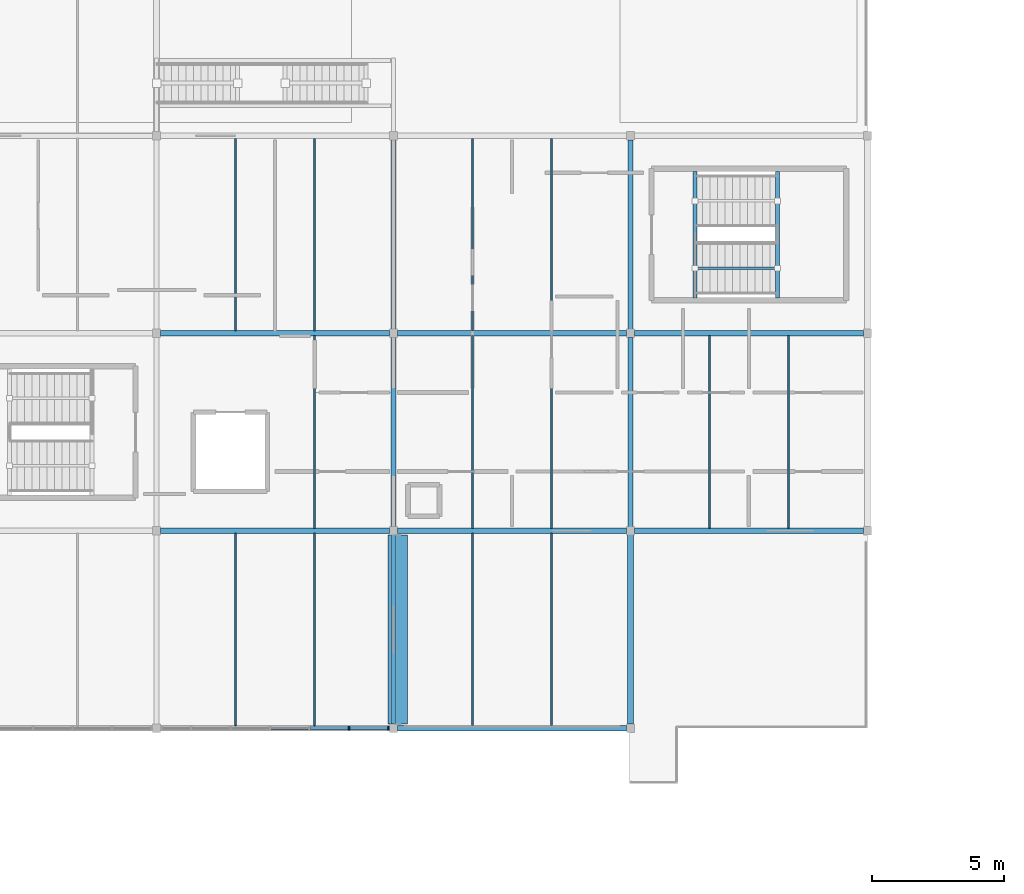
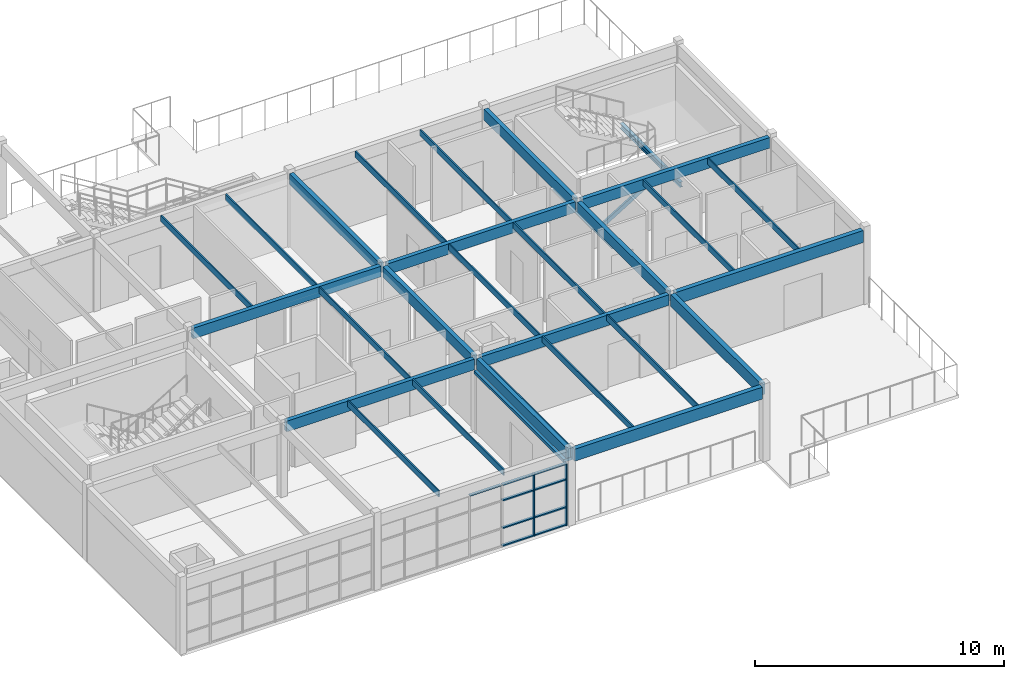
# One storey, part 10 of 24: 28 beams, 13 members, 1 element without a shape of its own.
"""IFC4 building model written with IfcOpenShell, lengths in metres."""

from ifc_helpers import new_model, si_unit, direction, frame, origin, origin_2d, place, context, subcontext, project, spatial, rectangle, hollow_rectangle, i_section, extrude, material, layer, layer_set, material_profile, profile_set, type_object, element, aggregate, save


model = new_model("IFC4")

# Units and contexts
model_context = context("Model", 3, precision=1e-05, world=origin(), true_north=direction((0.0, 1.0)))
body_context = subcontext(model_context, "Body", "Model", "MODEL_VIEW")
ifc_project = project(units=[si_unit("LENGTHUNIT", "METRE"), si_unit("AREAUNIT", "SQUARE_METRE"), si_unit("VOLUMEUNIT", "CUBIC_METRE"), si_unit("PLANEANGLEUNIT", "RADIAN"), si_unit("MASSUNIT", "GRAM", prefix="KILO")], contexts=[model_context])

# Site, building, storey
site_placement = place(None, origin())
site = spatial("IfcSite", under=ifc_project, at=site_placement, CompositionType="ELEMENT")
building_placement = place(site_placement, origin())
building = spatial("IfcBuilding", under=site, at=building_placement, Name="Marnridge Secondary College", CompositionType="ELEMENT")
storey_placement = place(building_placement, frame((0.0, 0.0, 16.10009765625)))
storey = spatial("IfcBuildingStorey", under=building, at=storey_placement, Name="L04", CompositionType="ELEMENT", Elevation=16.10009765625)

# Beams
ifc_material_1 = material(Name="Glulam timber GL18", Category="wood")
ifc_material_profile_1 = material_profile(ifc_material_1, rectangle(XDim=0.195068359375, YDim=0.52001953125, at=origin_2d()), Name="GL18 195x520")
ifc_profile_set_1 = profile_set([ifc_material_profile_1], Name="Glulam timber GL18")
beam_type_1 = type_object("IfcBeamType", Name="BM-GL520-INT", PredefinedType="BEAM", material=ifc_profile_set_1)
for number, where, z_axis, x_axis, name in (
    (1, (63.151611328125, 52.5, 3.349853515625), (1.0, 0.0, 0.0), (0.0, 1.0, 0.0), "Beam B-L04-1196"),
    (2, (63.151611328125, 60.0, 3.349853515625), (1.0, 0.0, 0.0), (0.0, 1.0, 0.0), "Beam B-L04-1197"),
):
    element("IfcBeam", number, at=place(storey_placement, frame(where, z_axis=z_axis, x_axis=x_axis)), inside=storey, type_object=beam_type_1, Name=name, PredefinedType="BEAM", context=body_context, shape_type="SweptSolid", body=[
        extrude(rectangle(XDim=0.195068359375, YDim=0.52001953125, at=origin_2d()), origin(), (0.0, 0.0, 1.0), 8.69677734375),
    ])
for number, where, z_axis, x_axis, name in (
    (3, (72.0, 52.651611328125, 3.349853515625), (0.0, 1.0, 0.0), (-1.0, 0.0, 0.0), "Beam B-L04-1198"),
    (4, (72.0, 60.151611328125, 3.349853515625), (0.0, 1.0, 0.0), (-1.0, 0.0, 0.0), "Beam B-L04-1200"),
):
    element("IfcBeam", number, at=place(storey_placement, frame(where, z_axis=z_axis, x_axis=x_axis)), inside=storey, type_object=beam_type_1, Name=name, PredefinedType="BEAM", context=body_context, shape_type="SweptSolid", body=[
        extrude(rectangle(XDim=0.195068359375, YDim=0.52001953125, at=origin_2d()), origin(), (0.0, 0.0, 1.0), 7.19677734375),
    ])
for number, where, z_axis, x_axis, name in (
    (5, (72.151611328125, 52.5, 3.349853515625), (1.0, 0.0, 0.0), (0.0, 1.0, 0.0), "Beam B-L04-1201"),
    (6, (72.151611328125, 60.0, 3.349853515625), (1.0, 0.0, 0.0), (0.0, 1.0, 0.0), "Beam B-L04-1202"),
):
    element("IfcBeam", number, at=place(storey_placement, frame(where, z_axis=z_axis, x_axis=x_axis)), inside=storey, type_object=beam_type_1, Name=name, PredefinedType="BEAM", context=body_context, shape_type="SweptSolid", body=[
        extrude(rectangle(XDim=0.195068359375, YDim=0.52001953125, at=origin_2d()), origin(), (0.0, 0.0, 1.0), 8.69677734375),
    ])
for number, where, z_axis, x_axis, name in (
    (7, (81.0, 52.651611328125, 3.349853515625), (0.0, 1.0, 0.0), (-1.0, 0.0, 0.0), "Beam B-L04-1203"),
    (8, (81.0, 60.151611328125, 3.349853515625), (0.0, 1.0, 0.0), (-1.0, 0.0, 0.0), "Beam B-L04-1205"),
):
    element("IfcBeam", number, at=place(storey_placement, frame(where, z_axis=z_axis, x_axis=x_axis)), inside=storey, type_object=beam_type_1, Name=name, PredefinedType="BEAM", context=body_context, shape_type="SweptSolid", body=[
        extrude(rectangle(XDim=0.195068359375, YDim=0.52001953125, at=origin_2d()), origin(), (0.0, 0.0, 1.0), 7.19677734375),
    ])
beam_1_placement = place(storey_placement, frame((81.151611328125, 60.0, 3.349853515625), z_axis=(1.0, 0.0, 0.0), x_axis=(0.0, 1.0, 0.0)))
element("IfcBeam", 9, at=beam_1_placement, inside=storey, type_object=beam_type_1, Name="Beam B-L04-1207", PredefinedType="BEAM", context=body_context, shape_type="SweptSolid", body=[
    extrude(rectangle(XDim=0.195068359375, YDim=0.52001953125, at=origin_2d()), origin(), (0.0, 0.0, 1.0), 8.69677734375),
])
beam_2_placement = place(storey_placement, frame((72.0, 45.151611328125, 3.3798828125), z_axis=(0.0, 1.0, 0.0), x_axis=(-1.0, 0.0, 0.0)))
element("IfcBeam", 10, at=beam_2_placement, inside=storey, type_object=beam_type_1, Name="Beam B-L04-1215", PredefinedType="BEAM", context=body_context, shape_type="SweptSolid", body=[
    extrude(rectangle(XDim=0.195068359375, YDim=0.52001953125, at=origin_2d()), origin(), (0.0, 0.0, 1.0), 7.19677734375),
])
ifc_material_2 = material(Name="Glulam timber GL18", Category="wood")
ifc_material_profile_2 = material_profile(ifc_material_2, rectangle(XDim=0.215087890625, YDim=0.5849609375, at=origin_2d()), Name="GL18 215x585")
ifc_profile_set_2 = profile_set([ifc_material_profile_2], Name="Glulam timber GL18")
beam_type_2 = type_object("IfcBeamType", Name="BM-GL585-EXT", PredefinedType="SPANDREL", material=ifc_profile_set_2)
for number, where, z_axis, x_axis, name in (
    (11, (81.151611328125, 52.5, 3.3173828125), (1.0, 0.0, 0.0), (0.0, 1.0, 0.0), "Beam BS-L04-1206"),
    (12, (72.151611328125, 45.0, 3.347412109375), (1.0, 0.0, 0.0), (0.0, 1.0, 0.0), "Beam BS-L04-1216"),
):
    element("IfcBeam", number, at=place(storey_placement, frame(where, z_axis=z_axis, x_axis=x_axis)), inside=storey, type_object=beam_type_2, Name=name, PredefinedType="SPANDREL", context=body_context, shape_type="SweptSolid", body=[
        extrude(rectangle(XDim=0.215087890625, YDim=0.5849609375, at=origin_2d()), origin(), (0.0, 0.0, 1.0), 8.69677734375),
    ])
beam_3_placement = place(storey_placement, frame((81.0, 45.151611328125, 3.347412109375), z_axis=(0.0, 1.0, 0.0), x_axis=(-1.0, 0.0, 0.0)))
element("IfcBeam", 13, at=beam_3_placement, inside=storey, type_object=beam_type_2, Name="Beam BS-L04-1217", PredefinedType="SPANDREL", context=body_context, shape_type="SweptSolid", body=[
    extrude(rectangle(XDim=0.215087890625, YDim=0.5849609375, at=origin_2d()), origin(), (0.0, 0.0, 1.0), 7.19677734375),
])
ifc_material_3 = material(Name="Engineered timber LVL E13.2", Category="wood")
ifc_material_profile_3 = material_profile(ifc_material_3, rectangle(XDim=0.06298828125, YDim=0.300048828125, at=origin_2d()), Name="LVL 63x300")
ifc_profile_set_3 = profile_set([ifc_material_profile_3], Name="Engineered timber LVL E13.2")
beam_type_3 = type_object("IfcBeamType", Name="BM-LVL300-INT", PredefinedType="JOIST", material=ifc_profile_set_3)
beam_4_placement = place(storey_placement, frame((69.0, 52.591552734375, 3.4599609375), z_axis=(0.0, 1.0, 0.0), x_axis=(-1.0, 0.0, 0.0)))
element("IfcBeam", 14, at=beam_4_placement, inside=storey, type_object=beam_type_3, Name="Beam BJ-L04-1223", PredefinedType="JOIST", context=body_context, shape_type="SweptSolid", body=[
    extrude(rectangle(XDim=0.06298828125, YDim=0.300048828125, at=origin_2d()), origin(), (0.0, 0.0, 1.0), 7.31689453125),
])
for number, where, z_axis, x_axis, name in (
    (15, (66.0, 60.091552734375, 3.4599609375), (0.0, 1.0, 0.0), (-1.0, 0.0, 0.0), "Beam BJ-L04-1224"),
    (16, (69.0, 60.091552734375, 3.4599609375), (0.0, 1.0, 0.0), (-1.0, 0.0, 0.0), "Beam BJ-L04-1225"),
):
    element("IfcBeam", number, at=place(storey_placement, frame(where, z_axis=z_axis, x_axis=x_axis)), inside=storey, type_object=beam_type_3, Name=name, PredefinedType="JOIST", context=body_context, shape_type="SweptSolid", body=[
        extrude(rectangle(XDim=0.06298828125, YDim=0.300048828125, at=origin_2d()), origin(), (0.0, 0.0, 1.0), 7.306884765625),
    ])
for number, where, z_axis, x_axis, name in (
    (17, (75.0, 52.591552734375, 3.4599609375), (0.0, 1.0, 0.0), (-1.0, 0.0, 0.0), "Beam BJ-L04-1226"),
    (18, (78.0, 52.591552734375, 3.4599609375), (0.0, 1.0, 0.0), (-1.0, 0.0, 0.0), "Beam BJ-L04-1227"),
):
    element("IfcBeam", number, at=place(storey_placement, frame(where, z_axis=z_axis, x_axis=x_axis)), inside=storey, type_object=beam_type_3, Name=name, PredefinedType="JOIST", context=body_context, shape_type="SweptSolid", body=[
        extrude(rectangle(XDim=0.06298828125, YDim=0.300048828125, at=origin_2d()), origin(), (0.0, 0.0, 1.0), 7.31689453125),
    ])
for number, where, z_axis, x_axis, name in (
    (19, (75.0, 60.091552734375, 3.4599609375), (0.0, 1.0, 0.0), (-1.0, 0.0, 0.0), "Beam BJ-L04-1228"),
    (20, (78.0, 60.091552734375, 3.4599609375), (0.0, 1.0, 0.0), (-1.0, 0.0, 0.0), "Beam BJ-L04-1229"),
    (21, (84.0, 52.6015625, 3.4599609375), (0.0, 1.0, 0.0), (-1.0, 0.0, 0.0), "Beam BJ-L04-1230"),
    (22, (87.0, 52.6015625, 3.4599609375), (0.0, 1.0, 0.0), (-1.0, 0.0, 0.0), "Beam BJ-L04-1231"),
    (23, (66.0, 45.1015625, 3.489990234375), (0.0, 1.0, 0.0), (-1.0, 0.0, 0.0), "Beam BJ-L04-1234"),
    (24, (69.0, 45.1015625, 3.489990234375), (0.0, 1.0, 0.0), (-1.0, 0.0, 0.0), "Beam BJ-L04-1235"),
    (25, (75.0, 45.1015625, 3.489990234375), (0.0, 1.0, 0.0), (-1.0, 0.0, 0.0), "Beam BJ-L04-1236"),
    (26, (78.0, 45.1015625, 3.489990234375), (0.0, 1.0, 0.0), (-1.0, 0.0, 0.0), "Beam BJ-L04-1237"),
):
    element("IfcBeam", number, at=place(storey_placement, frame(where, z_axis=z_axis, x_axis=x_axis)), inside=storey, type_object=beam_type_3, Name=name, PredefinedType="JOIST", context=body_context, shape_type="SweptSolid", body=[
        extrude(rectangle(XDim=0.06298828125, YDim=0.300048828125, at=origin_2d()), origin(), (0.0, 0.0, 1.0), 7.306884765625),
    ])
ifc_material_4 = material(Name="Structural steel Grade 350 (AS/NZS 3679.1/.2, fy = 340-360 MPa)", Category="steel")
ifc_material_profile_4 = material_profile(ifc_material_4, i_section(OverallWidth=0.146240234375, OverallDepth=0.256103515625, WebThickness=0.00634765625, FlangeThickness=0.010986328125, FilletRadius=0.0087890625, at=origin_2d()), Name="250UB37.3")
ifc_profile_set_4 = profile_set([ifc_material_profile_4], Name="Structural steel Grade 350 (AS/NZS 3679.1/.2, fy = 340-360 MPa)")
beam_type_4 = type_object("IfcBeamType", Name="BM-UB250-EXT", PredefinedType="LINTEL", material=ifc_profile_set_4)
for number, where, z_axis, x_axis, name in (
    (27, (83.449951171875, 61.342041015625, -0.338134765625), (0.0, 1.0, 0.0), (-1.0, 0.0, 0.0), "Stair landing trimmer beam BT-L04-018"),
    (28, (86.5849609375, 61.342041015625, 1.57177734375), (0.0, 1.0, 0.0), (-1.0, 0.0, 0.0), "Stair landing trimmer beam BT-L04-019"),
):
    element("IfcBeam", number, at=place(storey_placement, frame(where, z_axis=z_axis, x_axis=x_axis)), inside=storey, type_object=beam_type_4, Name=name, PredefinedType="LINTEL", context=body_context, shape_type="SweptSolid", body=[
        extrude(i_section(OverallWidth=0.146240234375, OverallDepth=0.256103515625, WebThickness=0.00634765625, FlangeThickness=0.010986328125, FilletRadius=0.0087890625, at=origin_2d()), origin(), (0.0, 0.0, 1.0), 4.802978515625),
    ])

# Curtain wall, members
ifc_material_5 = material(Name="Thermally broken aluminium and low-E glazing", Category="aluminium")
ifc_layer = layer(ifc_material_5, 0.159912109375)
ifc_layer_set = layer_set([ifc_layer], Name="CW-MOD-1500")
curtain_wall_type = type_object("IfcCurtainWallType", Name="CW-MOD-1500", PredefinedType="NOTDEFINED", material=ifc_layer_set)
curtain_wall_placement = place(storey_placement, origin())
curtain_wall = element("IfcCurtainWall", 29, at=curtain_wall_placement, inside=storey, type_object=curtain_wall_type, Name="Unitised curtain wall CW-L04-138", PredefinedType="NOTDEFINED")
ifc_material_6 = material(Name="Anodised aluminium 6063-T6", Category="aluminium")
ifc_material_profile_5 = material_profile(ifc_material_6, rectangle(XDim=0.06005859375, YDim=0.159912109375, at=origin_2d()), Name="ALU 60x160")
ifc_profile_set_5 = profile_set([ifc_material_profile_5], Name="Anodised aluminium 6063-T6")
member_type_1 = type_object("IfcMemberType", Name="CWM-ALU160", PredefinedType="MULLION", material=ifc_profile_set_5)
member_1_placement = place(storey_placement, frame((71.80859375, 45.0, 0.0), z_axis=(0.0, 0.0, 1.0), x_axis=(-1.0, 0.0, 0.0)))
member_1 = element("IfcMember", 30, at=member_1_placement, type_object=member_type_1, Name="CW-L04-138 mullion 1", PredefinedType="MULLION", context=body_context, shape_type="SweptSolid", body=[
    extrude(rectangle(XDim=0.06005859375, YDim=0.159912109375, at=origin_2d()), origin(), (0.0, 0.0, 1.0), 3.046875),
])
member_2_placement = place(storey_placement, frame((70.30859375, 45.0, 0.0), z_axis=(0.0, 0.0, 1.0), x_axis=(-1.0, 0.0, 0.0)))
member_2 = element("IfcMember", 31, at=member_2_placement, type_object=member_type_1, Name="CW-L04-138 mullion 2", PredefinedType="MULLION", context=body_context, shape_type="SweptSolid", body=[
    extrude(rectangle(XDim=0.06005859375, YDim=0.159912109375, at=origin_2d()), origin(), (0.0, 0.0, 1.0), 3.046875),
])
ifc_material_7 = material(Name="Anodised aluminium 6063-T6", Category="aluminium")
ifc_material_profile_6 = material_profile(ifc_material_7, rectangle(XDim=0.06005859375, YDim=0.1201171875, at=origin_2d()), Name="ALU 60x120")
ifc_profile_set_6 = profile_set([ifc_material_profile_6], Name="Anodised aluminium 6063-T6")
member_type_2 = type_object("IfcMemberType", Name="CWT-ALU120", PredefinedType="USERDEFINED", material=ifc_profile_set_6)
member_3_placement = place(storey_placement, frame((71.778564453125, 45.0, 0.02978515625), z_axis=(-1.0, 0.0, 0.0), x_axis=(0.0, 0.0, 1.0)))
member_3 = element("IfcMember", 32, at=member_3_placement, type_object=member_type_2, Name="CW-L04-138 transom 1.1", ObjectType="TRANSOM", PredefinedType="USERDEFINED", context=body_context, shape_type="SweptSolid", body=[
    extrude(rectangle(XDim=0.06005859375, YDim=0.1201171875, at=origin_2d()), origin(), (0.0, 0.0, 1.0), 1.440185546875),
])
member_4_placement = place(storey_placement, frame((71.778564453125, 45.0, 0.89990234375), z_axis=(-1.0, 0.0, 0.0), x_axis=(0.0, 0.0, 1.0)))
member_4 = element("IfcMember", 33, at=member_4_placement, type_object=member_type_2, Name="CW-L04-138 transom 1.2", ObjectType="TRANSOM", PredefinedType="USERDEFINED", context=body_context, shape_type="SweptSolid", body=[
    extrude(rectangle(XDim=0.06005859375, YDim=0.1201171875, at=origin_2d()), origin(), (0.0, 0.0, 1.0), 1.440185546875),
])
member_5_placement = place(storey_placement, frame((71.778564453125, 45.0, 2.25), z_axis=(-1.0, 0.0, 0.0), x_axis=(0.0, 0.0, 1.0)))
member_5 = element("IfcMember", 34, at=member_5_placement, type_object=member_type_2, Name="CW-L04-138 transom 1.3", ObjectType="TRANSOM", PredefinedType="USERDEFINED", context=body_context, shape_type="SweptSolid", body=[
    extrude(rectangle(XDim=0.06005859375, YDim=0.1201171875, at=origin_2d()), origin(), (0.0, 0.0, 1.0), 1.440185546875),
])
member_6_placement = place(storey_placement, frame((71.778564453125, 45.0, 3.016845703125), z_axis=(-1.0, 0.0, 0.0), x_axis=(0.0, 0.0, 1.0)))
member_6 = element("IfcMember", 35, at=member_6_placement, type_object=member_type_2, Name="CW-L04-138 transom 1.4", ObjectType="TRANSOM", PredefinedType="USERDEFINED", context=body_context, shape_type="SweptSolid", body=[
    extrude(rectangle(XDim=0.06005859375, YDim=0.1201171875, at=origin_2d()), origin(), (0.0, 0.0, 1.0), 1.440185546875),
])
member_7_placement = place(storey_placement, frame((70.278564453125, 45.0, 0.02978515625), z_axis=(-1.0, 0.0, 0.0), x_axis=(0.0, 0.0, 1.0)))
member_7 = element("IfcMember", 36, at=member_7_placement, type_object=member_type_2, Name="CW-L04-138 transom 2.1", ObjectType="TRANSOM", PredefinedType="USERDEFINED", context=body_context, shape_type="SweptSolid", body=[
    extrude(rectangle(XDim=0.06005859375, YDim=0.1201171875, at=origin_2d()), origin(), (0.0, 0.0, 1.0), 1.440185546875),
])
member_8_placement = place(storey_placement, frame((70.278564453125, 45.0, 0.89990234375), z_axis=(-1.0, 0.0, 0.0), x_axis=(0.0, 0.0, 1.0)))
member_8 = element("IfcMember", 37, at=member_8_placement, type_object=member_type_2, Name="CW-L04-138 transom 2.2", ObjectType="TRANSOM", PredefinedType="USERDEFINED", context=body_context, shape_type="SweptSolid", body=[
    extrude(rectangle(XDim=0.06005859375, YDim=0.1201171875, at=origin_2d()), origin(), (0.0, 0.0, 1.0), 1.440185546875),
])
member_9_placement = place(storey_placement, frame((70.278564453125, 45.0, 2.25), z_axis=(-1.0, 0.0, 0.0), x_axis=(0.0, 0.0, 1.0)))
member_9 = element("IfcMember", 38, at=member_9_placement, type_object=member_type_2, Name="CW-L04-138 transom 2.3", ObjectType="TRANSOM", PredefinedType="USERDEFINED", context=body_context, shape_type="SweptSolid", body=[
    extrude(rectangle(XDim=0.06005859375, YDim=0.1201171875, at=origin_2d()), origin(), (0.0, 0.0, 1.0), 1.440185546875),
])
member_10_placement = place(storey_placement, frame((70.278564453125, 45.0, 3.016845703125), z_axis=(-1.0, 0.0, 0.0), x_axis=(0.0, 0.0, 1.0)))
member_10 = element("IfcMember", 39, at=member_10_placement, type_object=member_type_2, Name="CW-L04-138 transom 2.4", ObjectType="TRANSOM", PredefinedType="USERDEFINED", context=body_context, shape_type="SweptSolid", body=[
    extrude(rectangle(XDim=0.06005859375, YDim=0.1201171875, at=origin_2d()), origin(), (0.0, 0.0, 1.0), 1.440185546875),
])
member_11_placement = place(storey_placement, frame((68.778564453125, 45.0, 3.016845703125), z_axis=(-1.0, 0.0, 0.0), x_axis=(0.0, 0.0, 1.0)))
member_11 = element("IfcMember", 40, at=member_11_placement, type_object=member_type_2, Name="CW-L04-138 transom 3.4", ObjectType="TRANSOM", PredefinedType="USERDEFINED", context=body_context, shape_type="SweptSolid", body=[
    extrude(rectangle(XDim=0.06005859375, YDim=0.1201171875, at=origin_2d()), origin(), (0.0, 0.0, 1.0), 1.440185546875),
])
aggregate(curtain_wall, [member_1, member_2, member_3, member_4, member_5, member_6, member_7, member_8, member_9, member_10, member_11])

# Members
ifc_material_8 = material(Name="Precast concrete C40/50 (AS 3600 N40, 40 MPa)", Category="concrete")
ifc_material_profile_7 = material_profile(ifc_material_8, rectangle(XDim=0.139892578125, YDim=0.75, at=origin_2d()), Name="FIN PC 140x750")
ifc_profile_set_7 = profile_set([ifc_material_profile_7], Name="Precast concrete C40/50 (AS 3600 N40, 40 MPa)")
member_type_3 = type_object("IfcMemberType", Name="MB-FIN-PC750", PredefinedType="USERDEFINED", material=ifc_profile_set_7)
member_12_placement = place(storey_placement, frame((72.159912109375, 52.342529296875, 3.031982421875), z_axis=(0.0, -1.0, 0.0), x_axis=(0.0, 0.0, 1.0)))
element("IfcMember", 41, at=member_12_placement, inside=storey, type_object=member_type_3, Name="Solar shading fin SFN-0027", ObjectType="SOLAR FIN", PredefinedType="USERDEFINED", context=body_context, shape_type="SweptSolid", body=[
    extrude(rectangle(XDim=0.139892578125, YDim=0.75, at=origin_2d()), origin(), (0.0, 0.0, 1.0), 7.18505859375),
])
ifc_material_9 = material(Name="Cold-formed steel Grade C350L0 (AS/NZS 1163, fy = 350 MPa)", Category="steel")
ifc_material_profile_8 = material_profile(ifc_material_9, hollow_rectangle(XDim=0.10009765625, YDim=0.199951171875, WallThickness=0.006103515625, at=origin_2d()), Name="200x100x6.0RHS")
ifc_profile_set_8 = profile_set([ifc_material_profile_8], Name="Cold-formed steel Grade C350L0 (AS/NZS 1163, fy = 350 MPa)")
member_type_4 = type_object("IfcMemberType", Name="MB-STR-RHS200", PredefinedType="STRINGER", material=ifc_profile_set_8)
member_13_placement = place(storey_placement, frame((83.449951171875, 62.469970703125, -0.1181640625), z_axis=(0.853969884899, 0.0, 0.520322434347), x_axis=(0.0, 1.0, 0.0)))
element("IfcMember", 42, at=member_13_placement, inside=storey, type_object=member_type_4, Name="Stair stringer STR-019", PredefinedType="STRINGER", context=body_context, shape_type="SweptSolid", body=[
    extrude(hollow_rectangle(XDim=0.10009765625, YDim=0.199951171875, WallThickness=0.006103515625, at=origin_2d()), origin(), (0.0, 0.0, 1.0), 3.671142578125),
])

save(model, "model.ifc")
